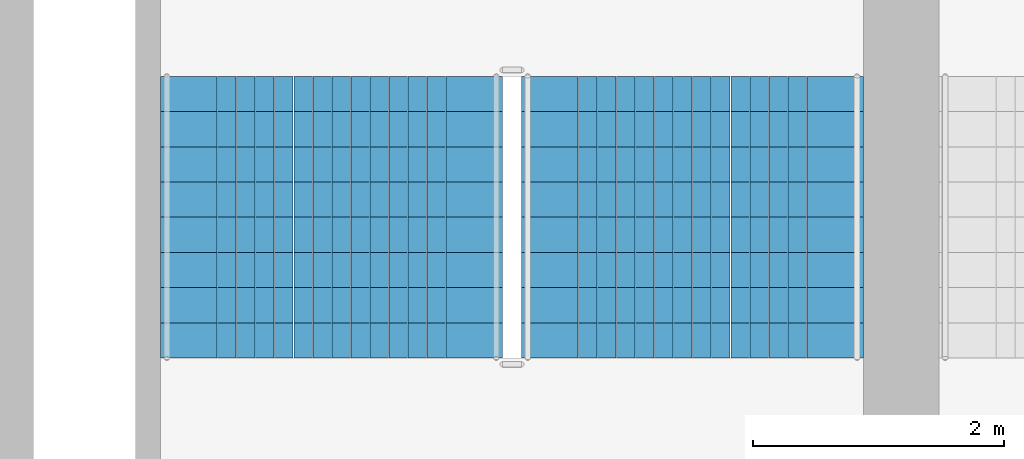
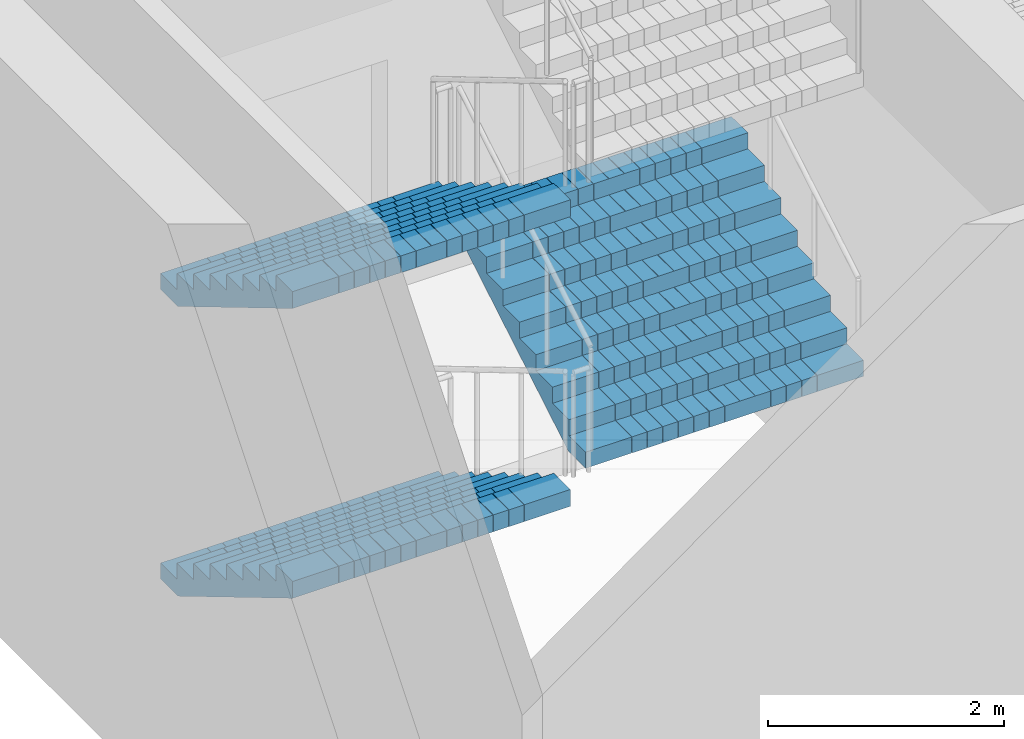
# One storey, part 34 of 61: 3 stair flights, 1 element without a shape of its own.
"""IFC4 building model written with IfcOpenShell, lengths in metres."""

from ifc_helpers import new_model, si_unit, direction, frame, origin, place, context, subcontext, project, spatial, polyline, outline, extrude, material, type_object, element, aggregate, save


model = new_model("IFC4")

# Units and contexts
model_context = context("Model", 3, precision=1e-05, world=origin(), true_north=direction((0.0, 1.0)))
body_context = subcontext(model_context, "Body", "Model", "MODEL_VIEW")
ifc_project = project(units=[si_unit("LENGTHUNIT", "METRE"), si_unit("AREAUNIT", "SQUARE_METRE"), si_unit("VOLUMEUNIT", "CUBIC_METRE"), si_unit("PLANEANGLEUNIT", "RADIAN"), si_unit("MASSUNIT", "GRAM", prefix="KILO")], contexts=[model_context])

# Site, building, storey
site_placement = place(None, origin())
site = spatial("IfcSite", under=ifc_project, at=site_placement, CompositionType="ELEMENT")
building_placement = place(site_placement, origin())
building = spatial("IfcBuilding", under=site, at=building_placement, Name="Corbelhall Arena Tower", CompositionType="ELEMENT")
storey_placement = place(building_placement, frame((0.0, 0.0, 31.0)))
storey = spatial("IfcBuildingStorey", under=building, at=storey_placement, Name="L04", CompositionType="ELEMENT", Elevation=31.0)

# Stair, stair flights
ifc_material = material(Name="Reinforced concrete C40/50", Category="concrete")
stair_type = type_object("IfcStairType", Name="AR-EXIT-STAIR", PredefinedType="HALF_TURN_STAIR", material=ifc_material)
stair_placement = place(storey_placement, origin())
stair = element("IfcStair", 1, at=stair_placement, inside=storey, type_object=stair_type, Name="L04 exit stair AS8", PredefinedType="HALF_TURN_STAIR")
stair_flight_type = type_object("IfcStairFlightType", Name="AR-EXIT-FLIGHT", PredefinedType="STRAIGHT", material=ifc_material)
stair_flight_1_placement = place(storey_placement, frame((-45.030029296875, -27.320068359375, 0.0), z_axis=(0.0, 0.0, 1.0), x_axis=(0.0, -1.0, 0.0)))
stair_flight_1 = element("IfcStairFlight", 2, at=stair_flight_1_placement, type_object=stair_flight_type, Name="AS8 flight 1", NumberOfRisers=9, NumberOfTreads=8, PredefinedType="STRAIGHT", RiserHeight=0.166666667, TreadLength=0.28, context=body_context, shape_type="SweptSolid", body=[
    extrude(outline(polyline([(0.0, 0.0), (0.0, 0.166748046875), (0.280029296875, 0.166748046875), (0.280029296875, 0.333251953125), (0.56005859375, 0.333251953125), (0.56005859375, 0.5), (0.840087890625, 0.5), (0.840087890625, 0.666748046875), (1.1201171875, 0.666748046875), (1.1201171875, 0.833251953125), (1.39990234375, 0.833251953125), (1.39990234375, 1.0), (1.679931640625, 1.0), (1.679931640625, 1.166748046875), (1.9599609375, 1.166748046875), (1.9599609375, 1.333251953125), (2.239990234375, 1.333251953125), (2.239990234375, 1.5), (2.239990234375, 1.158935546875), (0.29296875, 0.0), (0.0, 0.0)])), frame((0.0, 1.35986328125, 0.0), z_axis=(0.0, -1.0, 0.0), x_axis=(1.0, 0.0, 0.0)), (0.0, 0.0, 1.0), 0.449951171875),
    extrude(outline(polyline([(0.0, 0.0), (0.0, 0.166748046875), (0.280029296875, 0.166748046875), (0.280029296875, 0.333251953125), (0.56005859375, 0.333251953125), (0.56005859375, 0.5), (0.840087890625, 0.5), (0.840087890625, 0.666748046875), (1.1201171875, 0.666748046875), (1.1201171875, 0.833251953125), (1.39990234375, 0.833251953125), (1.39990234375, 1.0), (1.679931640625, 1.0), (1.679931640625, 1.166748046875), (1.9599609375, 1.166748046875), (1.9599609375, 1.333251953125), (2.239990234375, 1.333251953125), (2.239990234375, 1.5), (2.239990234375, 1.158935546875), (0.29296875, 0.0), (0.0, 0.0)])), frame((0.0, 0.906005859375, 0.0), z_axis=(0.0, -1.0, 0.0), x_axis=(1.0, 0.0, 0.0)), (0.0, 0.0, 1.0), 0.147216796875),
    extrude(outline(polyline([(0.0, 0.0), (0.0, 0.166748046875), (0.280029296875, 0.166748046875), (0.280029296875, 0.333251953125), (0.56005859375, 0.333251953125), (0.56005859375, 0.5), (0.840087890625, 0.5), (0.840087890625, 0.666748046875), (1.1201171875, 0.666748046875), (1.1201171875, 0.833251953125), (1.39990234375, 0.833251953125), (1.39990234375, 1.0), (1.679931640625, 1.0), (1.679931640625, 1.166748046875), (1.9599609375, 1.166748046875), (1.9599609375, 1.333251953125), (2.239990234375, 1.333251953125), (2.239990234375, 1.5), (2.239990234375, 1.158935546875), (0.29296875, 0.0), (0.0, 0.0)])), frame((0.0, 0.754638671875, 0.0), z_axis=(0.0, -1.0, 0.0), x_axis=(1.0, 0.0, 0.0)), (0.0, 0.0, 1.0), 0.147216796875),
    extrude(outline(polyline([(0.0, 0.0), (0.0, 0.166748046875), (0.280029296875, 0.166748046875), (0.280029296875, 0.333251953125), (0.56005859375, 0.333251953125), (0.56005859375, 0.5), (0.840087890625, 0.5), (0.840087890625, 0.666748046875), (1.1201171875, 0.666748046875), (1.1201171875, 0.833251953125), (1.39990234375, 0.833251953125), (1.39990234375, 1.0), (1.679931640625, 1.0), (1.679931640625, 1.166748046875), (1.9599609375, 1.166748046875), (1.9599609375, 1.333251953125), (2.239990234375, 1.333251953125), (2.239990234375, 1.5), (2.239990234375, 1.158935546875), (0.29296875, 0.0), (0.0, 0.0)])), frame((0.0, 0.603271484375, 0.0), z_axis=(0.0, -1.0, 0.0), x_axis=(1.0, 0.0, 0.0)), (0.0, 0.0, 1.0), 0.147216796875),
    extrude(outline(polyline([(0.0, 0.0), (0.0, 0.166748046875), (0.280029296875, 0.166748046875), (0.280029296875, 0.333251953125), (0.56005859375, 0.333251953125), (0.56005859375, 0.5), (0.840087890625, 0.5), (0.840087890625, 0.666748046875), (1.1201171875, 0.666748046875), (1.1201171875, 0.833251953125), (1.39990234375, 0.833251953125), (1.39990234375, 1.0), (1.679931640625, 1.0), (1.679931640625, 1.166748046875), (1.9599609375, 1.166748046875), (1.9599609375, 1.333251953125), (2.239990234375, 1.333251953125), (2.239990234375, 1.5), (2.239990234375, 1.158935546875), (0.29296875, 0.0), (0.0, 0.0)])), frame((0.0, 0.451904296875, 0.0), z_axis=(0.0, -1.0, 0.0), x_axis=(1.0, 0.0, 0.0)), (0.0, 0.0, 1.0), 0.147216796875),
    extrude(outline(polyline([(0.0, 0.0), (0.0, 0.166748046875), (0.280029296875, 0.166748046875), (0.280029296875, 0.333251953125), (0.56005859375, 0.333251953125), (0.56005859375, 0.5), (0.840087890625, 0.5), (0.840087890625, 0.666748046875), (1.1201171875, 0.666748046875), (1.1201171875, 0.833251953125), (1.39990234375, 0.833251953125), (1.39990234375, 1.0), (1.679931640625, 1.0), (1.679931640625, 1.166748046875), (1.9599609375, 1.166748046875), (1.9599609375, 1.333251953125), (2.239990234375, 1.333251953125), (2.239990234375, 1.5), (2.239990234375, 1.158935546875), (0.29296875, 0.0), (0.0, 0.0)])), frame((0.0, 0.30078125, 0.0), z_axis=(0.0, -1.0, 0.0), x_axis=(1.0, 0.0, 0.0)), (0.0, 0.0, 1.0), 0.147216796875),
    extrude(outline(polyline([(0.0, 0.0), (0.0, 0.166748046875), (0.280029296875, 0.166748046875), (0.280029296875, 0.333251953125), (0.56005859375, 0.333251953125), (0.56005859375, 0.5), (0.840087890625, 0.5), (0.840087890625, 0.666748046875), (1.1201171875, 0.666748046875), (1.1201171875, 0.833251953125), (1.39990234375, 0.833251953125), (1.39990234375, 1.0), (1.679931640625, 1.0), (1.679931640625, 1.166748046875), (1.9599609375, 1.166748046875), (1.9599609375, 1.333251953125), (2.239990234375, 1.333251953125), (2.239990234375, 1.5), (2.239990234375, 1.158935546875), (0.29296875, 0.0), (0.0, 0.0)])), frame((0.0, 0.1494140625, 0.0), z_axis=(0.0, -1.0, 0.0), x_axis=(1.0, 0.0, 0.0)), (0.0, 0.0, 1.0), 0.147216796875),
    extrude(outline(polyline([(0.0, 0.0), (0.0, 0.166748046875), (0.280029296875, 0.166748046875), (0.280029296875, 0.333251953125), (0.56005859375, 0.333251953125), (0.56005859375, 0.5), (0.840087890625, 0.5), (0.840087890625, 0.666748046875), (1.1201171875, 0.666748046875), (1.1201171875, 0.833251953125), (1.39990234375, 0.833251953125), (1.39990234375, 1.0), (1.679931640625, 1.0), (1.679931640625, 1.166748046875), (1.9599609375, 1.166748046875), (1.9599609375, 1.333251953125), (2.239990234375, 1.333251953125), (2.239990234375, 1.5), (2.239990234375, 1.158935546875), (0.29296875, 0.0), (0.0, 0.0)])), frame((0.0, -0.001953125, 0.0), z_axis=(0.0, -1.0, 0.0), x_axis=(1.0, 0.0, 0.0)), (0.0, 0.0, 1.0), 0.147216796875),
    extrude(outline(polyline([(0.0, 0.0), (0.0, 0.166748046875), (0.280029296875, 0.166748046875), (0.280029296875, 0.333251953125), (0.56005859375, 0.333251953125), (0.56005859375, 0.5), (0.840087890625, 0.5), (0.840087890625, 0.666748046875), (1.1201171875, 0.666748046875), (1.1201171875, 0.833251953125), (1.39990234375, 0.833251953125), (1.39990234375, 1.0), (1.679931640625, 1.0), (1.679931640625, 1.166748046875), (1.9599609375, 1.166748046875), (1.9599609375, 1.333251953125), (2.239990234375, 1.333251953125), (2.239990234375, 1.5), (2.239990234375, 1.158935546875), (0.29296875, 0.0), (0.0, 0.0)])), frame((0.0, -0.1533203125, 0.0), z_axis=(0.0, -1.0, 0.0), x_axis=(1.0, 0.0, 0.0)), (0.0, 0.0, 1.0), 0.147216796875),
    extrude(outline(polyline([(0.0, 0.0), (0.0, 0.166748046875), (0.280029296875, 0.166748046875), (0.280029296875, 0.333251953125), (0.56005859375, 0.333251953125), (0.56005859375, 0.5), (0.840087890625, 0.5), (0.840087890625, 0.666748046875), (1.1201171875, 0.666748046875), (1.1201171875, 0.833251953125), (1.39990234375, 0.833251953125), (1.39990234375, 1.0), (1.679931640625, 1.0), (1.679931640625, 1.166748046875), (1.9599609375, 1.166748046875), (1.9599609375, 1.333251953125), (2.239990234375, 1.333251953125), (2.239990234375, 1.5), (2.239990234375, 1.158935546875), (0.29296875, 0.0), (0.0, 0.0)])), frame((0.0, -0.3046875, 0.0), z_axis=(0.0, -1.0, 0.0), x_axis=(1.0, 0.0, 0.0)), (0.0, 0.0, 1.0), 0.147216796875),
    extrude(outline(polyline([(0.0, 0.0), (0.0, 0.166748046875), (0.280029296875, 0.166748046875), (0.280029296875, 0.333251953125), (0.56005859375, 0.333251953125), (0.56005859375, 0.5), (0.840087890625, 0.5), (0.840087890625, 0.666748046875), (1.1201171875, 0.666748046875), (1.1201171875, 0.833251953125), (1.39990234375, 0.833251953125), (1.39990234375, 1.0), (1.679931640625, 1.0), (1.679931640625, 1.166748046875), (1.9599609375, 1.166748046875), (1.9599609375, 1.333251953125), (2.239990234375, 1.333251953125), (2.239990234375, 1.5), (2.239990234375, 1.158935546875), (0.29296875, 0.0), (0.0, 0.0)])), frame((0.0, -0.4560546875, 0.0), z_axis=(0.0, -1.0, 0.0), x_axis=(1.0, 0.0, 0.0)), (0.0, 0.0, 1.0), 0.147216796875),
    extrude(outline(polyline([(0.0, 0.0), (0.0, 0.166748046875), (0.280029296875, 0.166748046875), (0.280029296875, 0.333251953125), (0.56005859375, 0.333251953125), (0.56005859375, 0.5), (0.840087890625, 0.5), (0.840087890625, 0.666748046875), (1.1201171875, 0.666748046875), (1.1201171875, 0.833251953125), (1.39990234375, 0.833251953125), (1.39990234375, 1.0), (1.679931640625, 1.0), (1.679931640625, 1.166748046875), (1.9599609375, 1.166748046875), (1.9599609375, 1.333251953125), (2.239990234375, 1.333251953125), (2.239990234375, 1.5), (2.239990234375, 1.158935546875), (0.29296875, 0.0), (0.0, 0.0)])), frame((0.0, -0.607421875, 0.0), z_axis=(0.0, -1.0, 0.0), x_axis=(1.0, 0.0, 0.0)), (0.0, 0.0, 1.0), 0.147216796875),
    extrude(outline(polyline([(0.0, 0.0), (0.0, 0.166748046875), (0.280029296875, 0.166748046875), (0.280029296875, 0.333251953125), (0.56005859375, 0.333251953125), (0.56005859375, 0.5), (0.840087890625, 0.5), (0.840087890625, 0.666748046875), (1.1201171875, 0.666748046875), (1.1201171875, 0.833251953125), (1.39990234375, 0.833251953125), (1.39990234375, 1.0), (1.679931640625, 1.0), (1.679931640625, 1.166748046875), (1.9599609375, 1.166748046875), (1.9599609375, 1.333251953125), (2.239990234375, 1.333251953125), (2.239990234375, 1.5), (2.239990234375, 1.158935546875), (0.29296875, 0.0), (0.0, 0.0)])), frame((0.0, -0.758544921875, 0.0), z_axis=(0.0, -1.0, 0.0), x_axis=(1.0, 0.0, 0.0)), (0.0, 0.0, 1.0), 0.147216796875),
    extrude(outline(polyline([(0.0, 0.0), (0.0, 0.166748046875), (0.280029296875, 0.166748046875), (0.280029296875, 0.333251953125), (0.56005859375, 0.333251953125), (0.56005859375, 0.5), (0.840087890625, 0.5), (0.840087890625, 0.666748046875), (1.1201171875, 0.666748046875), (1.1201171875, 0.833251953125), (1.39990234375, 0.833251953125), (1.39990234375, 1.0), (1.679931640625, 1.0), (1.679931640625, 1.166748046875), (1.9599609375, 1.166748046875), (1.9599609375, 1.333251953125), (2.239990234375, 1.333251953125), (2.239990234375, 1.5), (2.239990234375, 1.158935546875), (0.29296875, 0.0), (0.0, 0.0)])), frame((0.0, -0.909912109375, 0.0), z_axis=(0.0, -1.0, 0.0), x_axis=(1.0, 0.0, 0.0)), (0.0, 0.0, 1.0), 0.449951171875),
])
stair_flight_2_placement = place(storey_placement, frame((-42.159912109375, -29.56005859375, 1.5), z_axis=(0.0, 0.0, 1.0), x_axis=(0.0, 1.0, 0.0)))
stair_flight_2 = element("IfcStairFlight", 3, at=stair_flight_2_placement, type_object=stair_flight_type, Name="AS8 flight 2", NumberOfRisers=9, NumberOfTreads=8, PredefinedType="STRAIGHT", RiserHeight=0.166666667, TreadLength=0.28, context=body_context, shape_type="SweptSolid", body=[
    extrude(outline(polyline([(0.0, 0.0), (0.0, 0.166748046875), (0.280029296875, 0.166748046875), (0.280029296875, 0.333251953125), (0.56005859375, 0.333251953125), (0.56005859375, 0.5), (0.840087890625, 0.5), (0.840087890625, 0.666748046875), (1.1201171875, 0.666748046875), (1.1201171875, 0.833251953125), (1.39990234375, 0.833251953125), (1.39990234375, 1.0), (1.679931640625, 1.0), (1.679931640625, 1.166748046875), (1.9599609375, 1.166748046875), (1.9599609375, 1.333251953125), (2.239990234375, 1.333251953125), (2.239990234375, 1.5), (2.239990234375, 1.158935546875), (0.29296875, 0.0), (0.0, 0.0)])), frame((0.0, 1.35986328125, 0.0), z_axis=(0.0, -1.0, 0.0), x_axis=(1.0, 0.0, 0.0)), (0.0, 0.0, 1.0), 0.449951171875),
    extrude(outline(polyline([(0.0, 0.0), (0.0, 0.166748046875), (0.280029296875, 0.166748046875), (0.280029296875, 0.333251953125), (0.56005859375, 0.333251953125), (0.56005859375, 0.5), (0.840087890625, 0.5), (0.840087890625, 0.666748046875), (1.1201171875, 0.666748046875), (1.1201171875, 0.833251953125), (1.39990234375, 0.833251953125), (1.39990234375, 1.0), (1.679931640625, 1.0), (1.679931640625, 1.166748046875), (1.9599609375, 1.166748046875), (1.9599609375, 1.333251953125), (2.239990234375, 1.333251953125), (2.239990234375, 1.5), (2.239990234375, 1.158935546875), (0.29296875, 0.0), (0.0, 0.0)])), frame((0.0, 0.906005859375, 0.0), z_axis=(0.0, -1.0, 0.0), x_axis=(1.0, 0.0, 0.0)), (0.0, 0.0, 1.0), 0.147216796875),
    extrude(outline(polyline([(0.0, 0.0), (0.0, 0.166748046875), (0.280029296875, 0.166748046875), (0.280029296875, 0.333251953125), (0.56005859375, 0.333251953125), (0.56005859375, 0.5), (0.840087890625, 0.5), (0.840087890625, 0.666748046875), (1.1201171875, 0.666748046875), (1.1201171875, 0.833251953125), (1.39990234375, 0.833251953125), (1.39990234375, 1.0), (1.679931640625, 1.0), (1.679931640625, 1.166748046875), (1.9599609375, 1.166748046875), (1.9599609375, 1.333251953125), (2.239990234375, 1.333251953125), (2.239990234375, 1.5), (2.239990234375, 1.158935546875), (0.29296875, 0.0), (0.0, 0.0)])), frame((0.0, 0.754638671875, 0.0), z_axis=(0.0, -1.0, 0.0), x_axis=(1.0, 0.0, 0.0)), (0.0, 0.0, 1.0), 0.147216796875),
    extrude(outline(polyline([(0.0, 0.0), (0.0, 0.166748046875), (0.280029296875, 0.166748046875), (0.280029296875, 0.333251953125), (0.56005859375, 0.333251953125), (0.56005859375, 0.5), (0.840087890625, 0.5), (0.840087890625, 0.666748046875), (1.1201171875, 0.666748046875), (1.1201171875, 0.833251953125), (1.39990234375, 0.833251953125), (1.39990234375, 1.0), (1.679931640625, 1.0), (1.679931640625, 1.166748046875), (1.9599609375, 1.166748046875), (1.9599609375, 1.333251953125), (2.239990234375, 1.333251953125), (2.239990234375, 1.5), (2.239990234375, 1.158935546875), (0.29296875, 0.0), (0.0, 0.0)])), frame((0.0, 0.603271484375, 0.0), z_axis=(0.0, -1.0, 0.0), x_axis=(1.0, 0.0, 0.0)), (0.0, 0.0, 1.0), 0.147216796875),
    extrude(outline(polyline([(0.0, 0.0), (0.0, 0.166748046875), (0.280029296875, 0.166748046875), (0.280029296875, 0.333251953125), (0.56005859375, 0.333251953125), (0.56005859375, 0.5), (0.840087890625, 0.5), (0.840087890625, 0.666748046875), (1.1201171875, 0.666748046875), (1.1201171875, 0.833251953125), (1.39990234375, 0.833251953125), (1.39990234375, 1.0), (1.679931640625, 1.0), (1.679931640625, 1.166748046875), (1.9599609375, 1.166748046875), (1.9599609375, 1.333251953125), (2.239990234375, 1.333251953125), (2.239990234375, 1.5), (2.239990234375, 1.158935546875), (0.29296875, 0.0), (0.0, 0.0)])), frame((0.0, 0.451904296875, 0.0), z_axis=(0.0, -1.0, 0.0), x_axis=(1.0, 0.0, 0.0)), (0.0, 0.0, 1.0), 0.147216796875),
    extrude(outline(polyline([(0.0, 0.0), (0.0, 0.166748046875), (0.280029296875, 0.166748046875), (0.280029296875, 0.333251953125), (0.56005859375, 0.333251953125), (0.56005859375, 0.5), (0.840087890625, 0.5), (0.840087890625, 0.666748046875), (1.1201171875, 0.666748046875), (1.1201171875, 0.833251953125), (1.39990234375, 0.833251953125), (1.39990234375, 1.0), (1.679931640625, 1.0), (1.679931640625, 1.166748046875), (1.9599609375, 1.166748046875), (1.9599609375, 1.333251953125), (2.239990234375, 1.333251953125), (2.239990234375, 1.5), (2.239990234375, 1.158935546875), (0.29296875, 0.0), (0.0, 0.0)])), frame((0.0, 0.30078125, 0.0), z_axis=(0.0, -1.0, 0.0), x_axis=(1.0, 0.0, 0.0)), (0.0, 0.0, 1.0), 0.147216796875),
    extrude(outline(polyline([(0.0, 0.0), (0.0, 0.166748046875), (0.280029296875, 0.166748046875), (0.280029296875, 0.333251953125), (0.56005859375, 0.333251953125), (0.56005859375, 0.5), (0.840087890625, 0.5), (0.840087890625, 0.666748046875), (1.1201171875, 0.666748046875), (1.1201171875, 0.833251953125), (1.39990234375, 0.833251953125), (1.39990234375, 1.0), (1.679931640625, 1.0), (1.679931640625, 1.166748046875), (1.9599609375, 1.166748046875), (1.9599609375, 1.333251953125), (2.239990234375, 1.333251953125), (2.239990234375, 1.5), (2.239990234375, 1.158935546875), (0.29296875, 0.0), (0.0, 0.0)])), frame((0.0, 0.1494140625, 0.0), z_axis=(0.0, -1.0, 0.0), x_axis=(1.0, 0.0, 0.0)), (0.0, 0.0, 1.0), 0.147216796875),
    extrude(outline(polyline([(0.0, 0.0), (0.0, 0.166748046875), (0.280029296875, 0.166748046875), (0.280029296875, 0.333251953125), (0.56005859375, 0.333251953125), (0.56005859375, 0.5), (0.840087890625, 0.5), (0.840087890625, 0.666748046875), (1.1201171875, 0.666748046875), (1.1201171875, 0.833251953125), (1.39990234375, 0.833251953125), (1.39990234375, 1.0), (1.679931640625, 1.0), (1.679931640625, 1.166748046875), (1.9599609375, 1.166748046875), (1.9599609375, 1.333251953125), (2.239990234375, 1.333251953125), (2.239990234375, 1.5), (2.239990234375, 1.158935546875), (0.29296875, 0.0), (0.0, 0.0)])), frame((0.0, -0.001953125, 0.0), z_axis=(0.0, -1.0, 0.0), x_axis=(1.0, 0.0, 0.0)), (0.0, 0.0, 1.0), 0.147216796875),
    extrude(outline(polyline([(0.0, 0.0), (0.0, 0.166748046875), (0.280029296875, 0.166748046875), (0.280029296875, 0.333251953125), (0.56005859375, 0.333251953125), (0.56005859375, 0.5), (0.840087890625, 0.5), (0.840087890625, 0.666748046875), (1.1201171875, 0.666748046875), (1.1201171875, 0.833251953125), (1.39990234375, 0.833251953125), (1.39990234375, 1.0), (1.679931640625, 1.0), (1.679931640625, 1.166748046875), (1.9599609375, 1.166748046875), (1.9599609375, 1.333251953125), (2.239990234375, 1.333251953125), (2.239990234375, 1.5), (2.239990234375, 1.158935546875), (0.29296875, 0.0), (0.0, 0.0)])), frame((0.0, -0.1533203125, 0.0), z_axis=(0.0, -1.0, 0.0), x_axis=(1.0, 0.0, 0.0)), (0.0, 0.0, 1.0), 0.147216796875),
    extrude(outline(polyline([(0.0, 0.0), (0.0, 0.166748046875), (0.280029296875, 0.166748046875), (0.280029296875, 0.333251953125), (0.56005859375, 0.333251953125), (0.56005859375, 0.5), (0.840087890625, 0.5), (0.840087890625, 0.666748046875), (1.1201171875, 0.666748046875), (1.1201171875, 0.833251953125), (1.39990234375, 0.833251953125), (1.39990234375, 1.0), (1.679931640625, 1.0), (1.679931640625, 1.166748046875), (1.9599609375, 1.166748046875), (1.9599609375, 1.333251953125), (2.239990234375, 1.333251953125), (2.239990234375, 1.5), (2.239990234375, 1.158935546875), (0.29296875, 0.0), (0.0, 0.0)])), frame((0.0, -0.3046875, 0.0), z_axis=(0.0, -1.0, 0.0), x_axis=(1.0, 0.0, 0.0)), (0.0, 0.0, 1.0), 0.147216796875),
    extrude(outline(polyline([(0.0, 0.0), (0.0, 0.166748046875), (0.280029296875, 0.166748046875), (0.280029296875, 0.333251953125), (0.56005859375, 0.333251953125), (0.56005859375, 0.5), (0.840087890625, 0.5), (0.840087890625, 0.666748046875), (1.1201171875, 0.666748046875), (1.1201171875, 0.833251953125), (1.39990234375, 0.833251953125), (1.39990234375, 1.0), (1.679931640625, 1.0), (1.679931640625, 1.166748046875), (1.9599609375, 1.166748046875), (1.9599609375, 1.333251953125), (2.239990234375, 1.333251953125), (2.239990234375, 1.5), (2.239990234375, 1.158935546875), (0.29296875, 0.0), (0.0, 0.0)])), frame((0.0, -0.4560546875, 0.0), z_axis=(0.0, -1.0, 0.0), x_axis=(1.0, 0.0, 0.0)), (0.0, 0.0, 1.0), 0.147216796875),
    extrude(outline(polyline([(0.0, 0.0), (0.0, 0.166748046875), (0.280029296875, 0.166748046875), (0.280029296875, 0.333251953125), (0.56005859375, 0.333251953125), (0.56005859375, 0.5), (0.840087890625, 0.5), (0.840087890625, 0.666748046875), (1.1201171875, 0.666748046875), (1.1201171875, 0.833251953125), (1.39990234375, 0.833251953125), (1.39990234375, 1.0), (1.679931640625, 1.0), (1.679931640625, 1.166748046875), (1.9599609375, 1.166748046875), (1.9599609375, 1.333251953125), (2.239990234375, 1.333251953125), (2.239990234375, 1.5), (2.239990234375, 1.158935546875), (0.29296875, 0.0), (0.0, 0.0)])), frame((0.0, -0.607421875, 0.0), z_axis=(0.0, -1.0, 0.0), x_axis=(1.0, 0.0, 0.0)), (0.0, 0.0, 1.0), 0.147216796875),
    extrude(outline(polyline([(0.0, 0.0), (0.0, 0.166748046875), (0.280029296875, 0.166748046875), (0.280029296875, 0.333251953125), (0.56005859375, 0.333251953125), (0.56005859375, 0.5), (0.840087890625, 0.5), (0.840087890625, 0.666748046875), (1.1201171875, 0.666748046875), (1.1201171875, 0.833251953125), (1.39990234375, 0.833251953125), (1.39990234375, 1.0), (1.679931640625, 1.0), (1.679931640625, 1.166748046875), (1.9599609375, 1.166748046875), (1.9599609375, 1.333251953125), (2.239990234375, 1.333251953125), (2.239990234375, 1.5), (2.239990234375, 1.158935546875), (0.29296875, 0.0), (0.0, 0.0)])), frame((0.0, -0.758544921875, 0.0), z_axis=(0.0, -1.0, 0.0), x_axis=(1.0, 0.0, 0.0)), (0.0, 0.0, 1.0), 0.147216796875),
    extrude(outline(polyline([(0.0, 0.0), (0.0, 0.166748046875), (0.280029296875, 0.166748046875), (0.280029296875, 0.333251953125), (0.56005859375, 0.333251953125), (0.56005859375, 0.5), (0.840087890625, 0.5), (0.840087890625, 0.666748046875), (1.1201171875, 0.666748046875), (1.1201171875, 0.833251953125), (1.39990234375, 0.833251953125), (1.39990234375, 1.0), (1.679931640625, 1.0), (1.679931640625, 1.166748046875), (1.9599609375, 1.166748046875), (1.9599609375, 1.333251953125), (2.239990234375, 1.333251953125), (2.239990234375, 1.5), (2.239990234375, 1.158935546875), (0.29296875, 0.0), (0.0, 0.0)])), frame((0.0, -0.909912109375, 0.0), z_axis=(0.0, -1.0, 0.0), x_axis=(1.0, 0.0, 0.0)), (0.0, 0.0, 1.0), 0.449951171875),
])
stair_flight_3_placement = place(storey_placement, frame((-45.030029296875, -27.320068359375, 3.0), z_axis=(0.0, 0.0, 1.0), x_axis=(0.0, -1.0, 0.0)))
stair_flight_3 = element("IfcStairFlight", 4, at=stair_flight_3_placement, type_object=stair_flight_type, Name="AS8 flight 3", NumberOfRisers=9, NumberOfTreads=8, PredefinedType="STRAIGHT", RiserHeight=0.166666667, TreadLength=0.28, context=body_context, shape_type="SweptSolid", body=[
    extrude(outline(polyline([(0.0, 0.0), (0.0, 0.166748046875), (0.280029296875, 0.166748046875), (0.280029296875, 0.333251953125), (0.56005859375, 0.333251953125), (0.56005859375, 0.5), (0.840087890625, 0.5), (0.840087890625, 0.666748046875), (1.1201171875, 0.666748046875), (1.1201171875, 0.833251953125), (1.39990234375, 0.833251953125), (1.39990234375, 1.0), (1.679931640625, 1.0), (1.679931640625, 1.166748046875), (1.9599609375, 1.166748046875), (1.9599609375, 1.333251953125), (2.239990234375, 1.333251953125), (2.239990234375, 1.5), (2.239990234375, 1.158935546875), (0.29296875, 0.0), (0.0, 0.0)])), frame((0.0, 1.35986328125, 0.0), z_axis=(0.0, -1.0, 0.0), x_axis=(1.0, 0.0, 0.0)), (0.0, 0.0, 1.0), 0.449951171875),
    extrude(outline(polyline([(0.0, 0.0), (0.0, 0.166748046875), (0.280029296875, 0.166748046875), (0.280029296875, 0.333251953125), (0.56005859375, 0.333251953125), (0.56005859375, 0.5), (0.840087890625, 0.5), (0.840087890625, 0.666748046875), (1.1201171875, 0.666748046875), (1.1201171875, 0.833251953125), (1.39990234375, 0.833251953125), (1.39990234375, 1.0), (1.679931640625, 1.0), (1.679931640625, 1.166748046875), (1.9599609375, 1.166748046875), (1.9599609375, 1.333251953125), (2.239990234375, 1.333251953125), (2.239990234375, 1.5), (2.239990234375, 1.158935546875), (0.29296875, 0.0), (0.0, 0.0)])), frame((0.0, 0.906005859375, 0.0), z_axis=(0.0, -1.0, 0.0), x_axis=(1.0, 0.0, 0.0)), (0.0, 0.0, 1.0), 0.147216796875),
    extrude(outline(polyline([(0.0, 0.0), (0.0, 0.166748046875), (0.280029296875, 0.166748046875), (0.280029296875, 0.333251953125), (0.56005859375, 0.333251953125), (0.56005859375, 0.5), (0.840087890625, 0.5), (0.840087890625, 0.666748046875), (1.1201171875, 0.666748046875), (1.1201171875, 0.833251953125), (1.39990234375, 0.833251953125), (1.39990234375, 1.0), (1.679931640625, 1.0), (1.679931640625, 1.166748046875), (1.9599609375, 1.166748046875), (1.9599609375, 1.333251953125), (2.239990234375, 1.333251953125), (2.239990234375, 1.5), (2.239990234375, 1.158935546875), (0.29296875, 0.0), (0.0, 0.0)])), frame((0.0, 0.754638671875, 0.0), z_axis=(0.0, -1.0, 0.0), x_axis=(1.0, 0.0, 0.0)), (0.0, 0.0, 1.0), 0.147216796875),
    extrude(outline(polyline([(0.0, 0.0), (0.0, 0.166748046875), (0.280029296875, 0.166748046875), (0.280029296875, 0.333251953125), (0.56005859375, 0.333251953125), (0.56005859375, 0.5), (0.840087890625, 0.5), (0.840087890625, 0.666748046875), (1.1201171875, 0.666748046875), (1.1201171875, 0.833251953125), (1.39990234375, 0.833251953125), (1.39990234375, 1.0), (1.679931640625, 1.0), (1.679931640625, 1.166748046875), (1.9599609375, 1.166748046875), (1.9599609375, 1.333251953125), (2.239990234375, 1.333251953125), (2.239990234375, 1.5), (2.239990234375, 1.158935546875), (0.29296875, 0.0), (0.0, 0.0)])), frame((0.0, 0.603271484375, 0.0), z_axis=(0.0, -1.0, 0.0), x_axis=(1.0, 0.0, 0.0)), (0.0, 0.0, 1.0), 0.147216796875),
    extrude(outline(polyline([(0.0, 0.0), (0.0, 0.166748046875), (0.280029296875, 0.166748046875), (0.280029296875, 0.333251953125), (0.56005859375, 0.333251953125), (0.56005859375, 0.5), (0.840087890625, 0.5), (0.840087890625, 0.666748046875), (1.1201171875, 0.666748046875), (1.1201171875, 0.833251953125), (1.39990234375, 0.833251953125), (1.39990234375, 1.0), (1.679931640625, 1.0), (1.679931640625, 1.166748046875), (1.9599609375, 1.166748046875), (1.9599609375, 1.333251953125), (2.239990234375, 1.333251953125), (2.239990234375, 1.5), (2.239990234375, 1.158935546875), (0.29296875, 0.0), (0.0, 0.0)])), frame((0.0, 0.451904296875, 0.0), z_axis=(0.0, -1.0, 0.0), x_axis=(1.0, 0.0, 0.0)), (0.0, 0.0, 1.0), 0.147216796875),
    extrude(outline(polyline([(0.0, 0.0), (0.0, 0.166748046875), (0.280029296875, 0.166748046875), (0.280029296875, 0.333251953125), (0.56005859375, 0.333251953125), (0.56005859375, 0.5), (0.840087890625, 0.5), (0.840087890625, 0.666748046875), (1.1201171875, 0.666748046875), (1.1201171875, 0.833251953125), (1.39990234375, 0.833251953125), (1.39990234375, 1.0), (1.679931640625, 1.0), (1.679931640625, 1.166748046875), (1.9599609375, 1.166748046875), (1.9599609375, 1.333251953125), (2.239990234375, 1.333251953125), (2.239990234375, 1.5), (2.239990234375, 1.158935546875), (0.29296875, 0.0), (0.0, 0.0)])), frame((0.0, 0.30078125, 0.0), z_axis=(0.0, -1.0, 0.0), x_axis=(1.0, 0.0, 0.0)), (0.0, 0.0, 1.0), 0.147216796875),
    extrude(outline(polyline([(0.0, 0.0), (0.0, 0.166748046875), (0.280029296875, 0.166748046875), (0.280029296875, 0.333251953125), (0.56005859375, 0.333251953125), (0.56005859375, 0.5), (0.840087890625, 0.5), (0.840087890625, 0.666748046875), (1.1201171875, 0.666748046875), (1.1201171875, 0.833251953125), (1.39990234375, 0.833251953125), (1.39990234375, 1.0), (1.679931640625, 1.0), (1.679931640625, 1.166748046875), (1.9599609375, 1.166748046875), (1.9599609375, 1.333251953125), (2.239990234375, 1.333251953125), (2.239990234375, 1.5), (2.239990234375, 1.158935546875), (0.29296875, 0.0), (0.0, 0.0)])), frame((0.0, 0.1494140625, 0.0), z_axis=(0.0, -1.0, 0.0), x_axis=(1.0, 0.0, 0.0)), (0.0, 0.0, 1.0), 0.147216796875),
    extrude(outline(polyline([(0.0, 0.0), (0.0, 0.166748046875), (0.280029296875, 0.166748046875), (0.280029296875, 0.333251953125), (0.56005859375, 0.333251953125), (0.56005859375, 0.5), (0.840087890625, 0.5), (0.840087890625, 0.666748046875), (1.1201171875, 0.666748046875), (1.1201171875, 0.833251953125), (1.39990234375, 0.833251953125), (1.39990234375, 1.0), (1.679931640625, 1.0), (1.679931640625, 1.166748046875), (1.9599609375, 1.166748046875), (1.9599609375, 1.333251953125), (2.239990234375, 1.333251953125), (2.239990234375, 1.5), (2.239990234375, 1.158935546875), (0.29296875, 0.0), (0.0, 0.0)])), frame((0.0, -0.001953125, 0.0), z_axis=(0.0, -1.0, 0.0), x_axis=(1.0, 0.0, 0.0)), (0.0, 0.0, 1.0), 0.147216796875),
    extrude(outline(polyline([(0.0, 0.0), (0.0, 0.166748046875), (0.280029296875, 0.166748046875), (0.280029296875, 0.333251953125), (0.56005859375, 0.333251953125), (0.56005859375, 0.5), (0.840087890625, 0.5), (0.840087890625, 0.666748046875), (1.1201171875, 0.666748046875), (1.1201171875, 0.833251953125), (1.39990234375, 0.833251953125), (1.39990234375, 1.0), (1.679931640625, 1.0), (1.679931640625, 1.166748046875), (1.9599609375, 1.166748046875), (1.9599609375, 1.333251953125), (2.239990234375, 1.333251953125), (2.239990234375, 1.5), (2.239990234375, 1.158935546875), (0.29296875, 0.0), (0.0, 0.0)])), frame((0.0, -0.1533203125, 0.0), z_axis=(0.0, -1.0, 0.0), x_axis=(1.0, 0.0, 0.0)), (0.0, 0.0, 1.0), 0.147216796875),
    extrude(outline(polyline([(0.0, 0.0), (0.0, 0.166748046875), (0.280029296875, 0.166748046875), (0.280029296875, 0.333251953125), (0.56005859375, 0.333251953125), (0.56005859375, 0.5), (0.840087890625, 0.5), (0.840087890625, 0.666748046875), (1.1201171875, 0.666748046875), (1.1201171875, 0.833251953125), (1.39990234375, 0.833251953125), (1.39990234375, 1.0), (1.679931640625, 1.0), (1.679931640625, 1.166748046875), (1.9599609375, 1.166748046875), (1.9599609375, 1.333251953125), (2.239990234375, 1.333251953125), (2.239990234375, 1.5), (2.239990234375, 1.158935546875), (0.29296875, 0.0), (0.0, 0.0)])), frame((0.0, -0.3046875, 0.0), z_axis=(0.0, -1.0, 0.0), x_axis=(1.0, 0.0, 0.0)), (0.0, 0.0, 1.0), 0.147216796875),
    extrude(outline(polyline([(0.0, 0.0), (0.0, 0.166748046875), (0.280029296875, 0.166748046875), (0.280029296875, 0.333251953125), (0.56005859375, 0.333251953125), (0.56005859375, 0.5), (0.840087890625, 0.5), (0.840087890625, 0.666748046875), (1.1201171875, 0.666748046875), (1.1201171875, 0.833251953125), (1.39990234375, 0.833251953125), (1.39990234375, 1.0), (1.679931640625, 1.0), (1.679931640625, 1.166748046875), (1.9599609375, 1.166748046875), (1.9599609375, 1.333251953125), (2.239990234375, 1.333251953125), (2.239990234375, 1.5), (2.239990234375, 1.158935546875), (0.29296875, 0.0), (0.0, 0.0)])), frame((0.0, -0.4560546875, 0.0), z_axis=(0.0, -1.0, 0.0), x_axis=(1.0, 0.0, 0.0)), (0.0, 0.0, 1.0), 0.147216796875),
    extrude(outline(polyline([(0.0, 0.0), (0.0, 0.166748046875), (0.280029296875, 0.166748046875), (0.280029296875, 0.333251953125), (0.56005859375, 0.333251953125), (0.56005859375, 0.5), (0.840087890625, 0.5), (0.840087890625, 0.666748046875), (1.1201171875, 0.666748046875), (1.1201171875, 0.833251953125), (1.39990234375, 0.833251953125), (1.39990234375, 1.0), (1.679931640625, 1.0), (1.679931640625, 1.166748046875), (1.9599609375, 1.166748046875), (1.9599609375, 1.333251953125), (2.239990234375, 1.333251953125), (2.239990234375, 1.5), (2.239990234375, 1.158935546875), (0.29296875, 0.0), (0.0, 0.0)])), frame((0.0, -0.607421875, 0.0), z_axis=(0.0, -1.0, 0.0), x_axis=(1.0, 0.0, 0.0)), (0.0, 0.0, 1.0), 0.147216796875),
    extrude(outline(polyline([(0.0, 0.0), (0.0, 0.166748046875), (0.280029296875, 0.166748046875), (0.280029296875, 0.333251953125), (0.56005859375, 0.333251953125), (0.56005859375, 0.5), (0.840087890625, 0.5), (0.840087890625, 0.666748046875), (1.1201171875, 0.666748046875), (1.1201171875, 0.833251953125), (1.39990234375, 0.833251953125), (1.39990234375, 1.0), (1.679931640625, 1.0), (1.679931640625, 1.166748046875), (1.9599609375, 1.166748046875), (1.9599609375, 1.333251953125), (2.239990234375, 1.333251953125), (2.239990234375, 1.5), (2.239990234375, 1.158935546875), (0.29296875, 0.0), (0.0, 0.0)])), frame((0.0, -0.758544921875, 0.0), z_axis=(0.0, -1.0, 0.0), x_axis=(1.0, 0.0, 0.0)), (0.0, 0.0, 1.0), 0.147216796875),
    extrude(outline(polyline([(0.0, 0.0), (0.0, 0.166748046875), (0.280029296875, 0.166748046875), (0.280029296875, 0.333251953125), (0.56005859375, 0.333251953125), (0.56005859375, 0.5), (0.840087890625, 0.5), (0.840087890625, 0.666748046875), (1.1201171875, 0.666748046875), (1.1201171875, 0.833251953125), (1.39990234375, 0.833251953125), (1.39990234375, 1.0), (1.679931640625, 1.0), (1.679931640625, 1.166748046875), (1.9599609375, 1.166748046875), (1.9599609375, 1.333251953125), (2.239990234375, 1.333251953125), (2.239990234375, 1.5), (2.239990234375, 1.158935546875), (0.29296875, 0.0), (0.0, 0.0)])), frame((0.0, -0.909912109375, 0.0), z_axis=(0.0, -1.0, 0.0), x_axis=(1.0, 0.0, 0.0)), (0.0, 0.0, 1.0), 0.449951171875),
])
aggregate(stair, [stair_flight_1, stair_flight_2, stair_flight_3])

save(model, "model.ifc")
